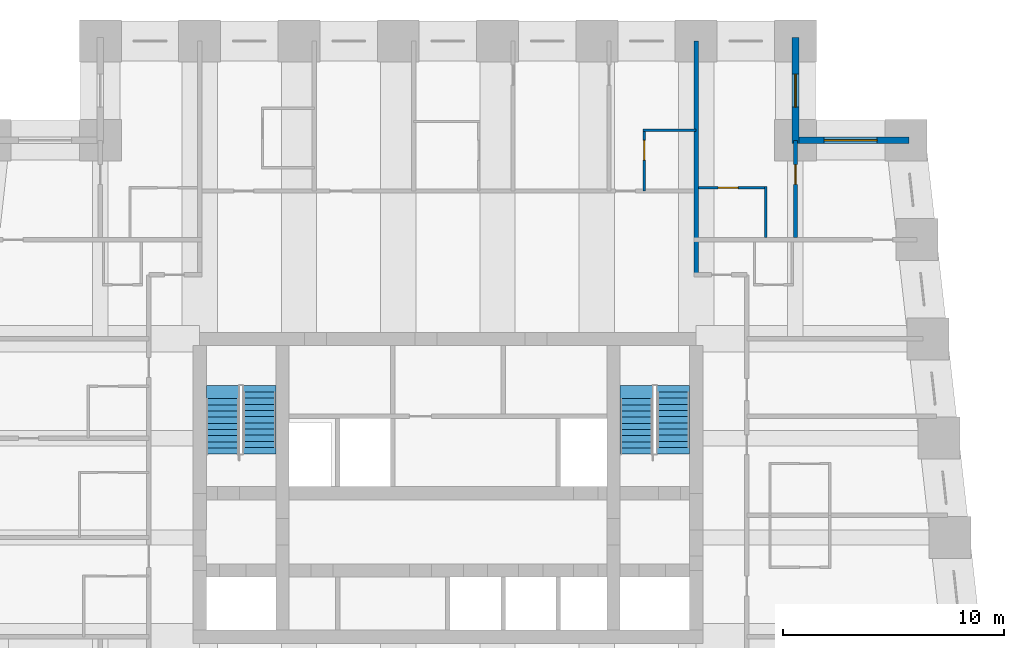
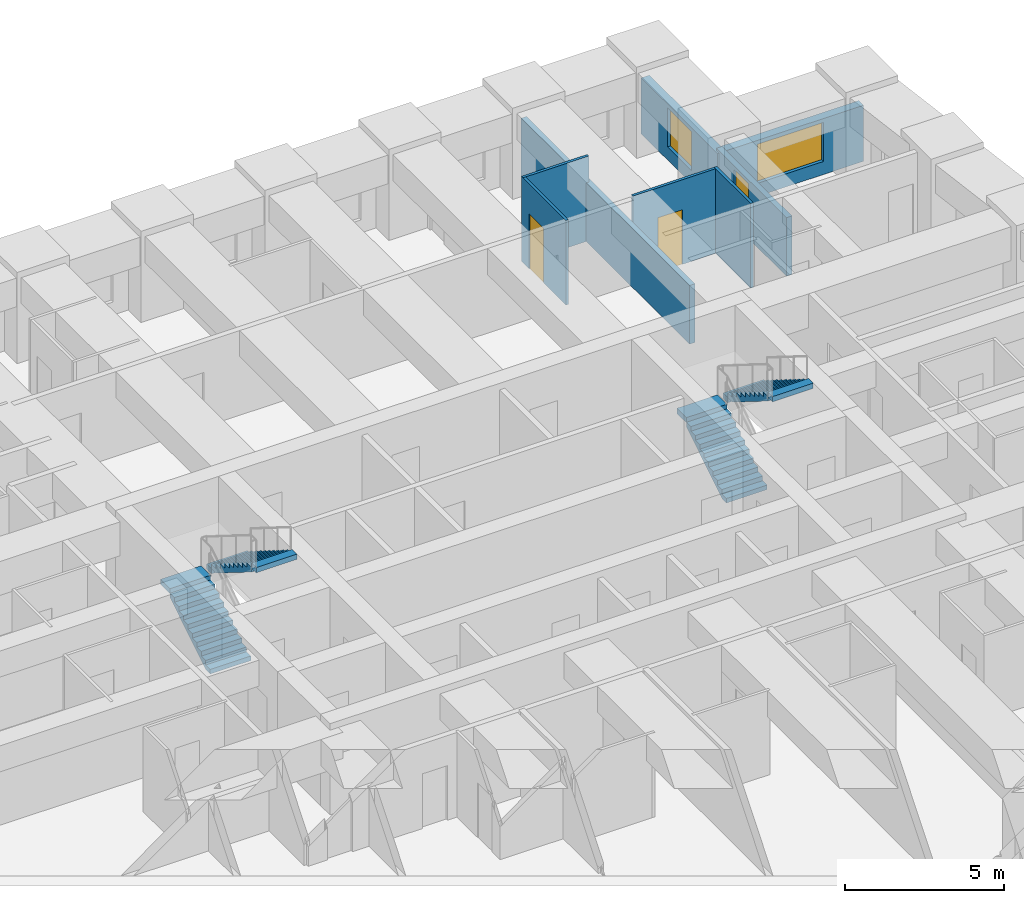
# One storey, part 7 of 8: 8 walls, 4 stair flights, 3 doors, 2 windows, 5 openings, 2 elements without a shape of their own.
"""IFC4 building model written with IfcOpenShell, lengths in metres."""

import ifcopenshell
import ifcopenshell.guid

model = None  # the IFC model being written
_history = None  # IfcOwnerHistory: only IFC2X3 demands one
_inside = {}  # id of a spatial element -> (the spatial element, [elements in it])
_under = {}  # id of a project, library or spatial element -> (it, [spatial elements below it])
_declared = {}  # id of a project -> (the project, [libraries it declares])
_typed = {}  # id of a type object -> (the type object, [elements of that type])
_made_of = {}  # id of a material, layer set ... -> (it, [elements and type objects made of it])


def new_model(schema):
    """Start an empty IFC model of exactly this schema.

    Asked for "IFC4X3", IfcOpenShell would pick the latest addendum, in which some entities
    have other attributes; the version numbers below select the first issue.
    IFC2X3 requires an IfcOwnerHistory on every rooted entity: one is made here for all.
    """
    global model, _history
    if schema == "IFC4X3":
        model = ifcopenshell.file(schema_version=(4, 3, 0, 0))
    else:
        model = ifcopenshell.file(schema=schema)
    _inside.clear()
    _under.clear()
    _declared.clear()
    _typed.clear()
    _made_of.clear()
    _history = None
    if model.schema == "IFC2X3":
        org = make("IfcOrganization", Name="unknown")
        user = make(
            "IfcPersonAndOrganization",
            ThePerson=make("IfcPerson", FamilyName="unknown"),
            TheOrganization=org,
        )
        app = make(
            "IfcApplication",
            ApplicationDeveloper=org,
            Version="unknown",
            ApplicationFullName="unknown",
            ApplicationIdentifier="unknown",
        )
        _history = make(
            "IfcOwnerHistory",
            OwningUser=user,
            OwningApplication=app,
            ChangeAction="ADDED",
            CreationDate=0,
        )
    return model


def make(cls, **values):
    """One entity of the class cls with the attributes given. An attribute that is None is left unset."""
    return model.create_entity(
        cls, **{name: value for name, value in values.items() if value is not None}
    )


def rooted(cls, **values):
    """An entity with a GlobalId (a new one), such as an element, a storey or a relation."""
    return make(cls, GlobalId=ifcopenshell.guid.new(), OwnerHistory=_history, **values)


def si_unit(unit_type, name, prefix=None):
    """IfcSIUnit, for example si_unit("LENGTHUNIT", "METRE", prefix="MILLI")."""
    return make("IfcSIUnit", UnitType=unit_type, Prefix=prefix, Name=name)


def assignment(units):
    """IfcUnitAssignment: the units of a project."""
    return None if units is None else make("IfcUnitAssignment", Units=units)


def point(xyz):
    """IfcCartesianPoint."""
    return None if xyz is None else make("IfcCartesianPoint", Coordinates=xyz)


def direction(xyz):
    """IfcDirection."""
    return None if xyz is None else make("IfcDirection", DirectionRatios=xyz)


def frame(location, z_axis=None, x_axis=None):
    """IfcAxis2Placement3D, a coordinate frame: its origin and axes. An axis left out is left unset."""
    return make(
        "IfcAxis2Placement3D",
        Location=point(location),
        Axis=direction(z_axis),
        RefDirection=direction(x_axis),
    )


def frame_2d(location, x_axis=None):
    """IfcAxis2Placement2D, a coordinate frame in the plane: its origin and x axis."""
    return make(
        "IfcAxis2Placement2D", Location=point(location), RefDirection=direction(x_axis)
    )


def origin():
    """The frame at (0, 0, 0) with its axes left unset."""
    return frame((0.0, 0.0, 0.0))


def place(relative_to, where):
    """IfcLocalPlacement: puts the frame where relative to a parent placement (None: the world)."""
    return make(
        "IfcLocalPlacement", PlacementRelTo=relative_to, RelativePlacement=where
    )


def context(
    kind, dimensions, precision=None, world=None, true_north=None, identifier=None
):
    """IfcGeometricRepresentationContext, for example the 3D "Model" context."""
    return make(
        "IfcGeometricRepresentationContext",
        ContextIdentifier=identifier,
        ContextType=kind,
        CoordinateSpaceDimension=dimensions,
        Precision=precision,
        WorldCoordinateSystem=world,
        TrueNorth=true_north,
    )


def subcontext(parent, identifier, kind, view, scale=None):
    """IfcGeometricRepresentationSubContext, for example "Body" below "Model"."""
    return make(
        "IfcGeometricRepresentationSubContext",
        ContextIdentifier=identifier,
        ContextType=kind,
        ParentContext=parent,
        TargetScale=scale,
        TargetView=view,
    )


def project(units=None, contexts=None):
    """IfcProject with its units and contexts."""
    return rooted(
        "IfcProject",
        Name="project",
        RepresentationContexts=contexts,
        UnitsInContext=assignment(units),
    )


def spatial(cls, under=None, at=None, **own):
    """A site, building, storey or space (cls), placed at a placement, below another one or the project."""
    s = rooted(cls, ObjectPlacement=at, **own)
    if under is not None:
        _under.setdefault(under.id(), (under, []))[1].append(s)
    return s


def polyline(points):
    """IfcPolyline through the points."""
    return make("IfcPolyline", Points=[point(p) for p in points])


def profile(cls, at=None, kind="AREA", **sizes):
    """A parametric profile (cls). Its sizes go by their IFC names, for example OverallWidth=200.0."""
    return make(cls, ProfileType=kind, Position=at, **sizes)


def rectangle(**sizes):
    """IfcRectangleProfileDef."""
    return profile("IfcRectangleProfileDef", **sizes)


def outline(outer, holes=None, kind="AREA"):
    """IfcArbitraryClosedProfileDef: a profile drawn as a closed curve; with holes, ...WithVoids."""
    if holes is None:
        return make("IfcArbitraryClosedProfileDef", ProfileType=kind, OuterCurve=outer)
    return make(
        "IfcArbitraryProfileDefWithVoids",
        ProfileType=kind,
        OuterCurve=outer,
        InnerCurves=holes,
    )


def extrude(swept, where, along, depth):
    """IfcExtrudedAreaSolid: the profile swept, set in the frame where, extruded along a direction by depth."""
    return make(
        "IfcExtrudedAreaSolid",
        SweptArea=swept,
        Position=where,
        ExtrudedDirection=direction(along),
        Depth=depth,
    )


def shape(context_of_items, identifier, shape_type, items):
    """IfcShapeRepresentation: the items that make up one representation, for example the "Body"."""
    return make(
        "IfcShapeRepresentation",
        ContextOfItems=context_of_items,
        RepresentationIdentifier=identifier,
        RepresentationType=shape_type,
        Items=items,
    )


def material(Name=None, Category=None):
    """IfcMaterial."""
    return make("IfcMaterial", Name=Name, Category=Category)


def layer(
    of_material, thickness, ventilated=None, Name=None, Category=None, Priority=None
):
    """IfcMaterialLayer: one layer of a wall or slab, of a material (None: an air gap)."""
    return make(
        "IfcMaterialLayer",
        Material=of_material,
        LayerThickness=thickness,
        IsVentilated=ventilated,
        Name=Name,
        Category=Category,
        Priority=Priority,
    )


def layer_set(layers, Name=None):
    """IfcMaterialLayerSet."""
    return make("IfcMaterialLayerSet", MaterialLayers=layers, LayerSetName=Name)


def made_of(thing, what):
    """Note that an element or type object is made of a material, layer set ...; save() writes the relation."""
    if what is not None:
        _made_of.setdefault(what.id(), (what, []))[1].append(thing)
    return thing


def type_object(cls, material=None, **own):
    """A type object (cls), such as IfcWallType, which elements share."""
    return made_of(rooted(cls, **own), material)


def element(
    cls,
    number,
    at=None,
    inside=None,
    cuts=None,
    type_object=None,
    material=None,
    context=None,
    identifier="Body",
    shape_type=None,
    held_by="IfcProductDefinitionShape",
    body=None,
    shapes=None,
    **own,
):
    """One element of the class cls, such as IfcWall. Its Tag is "e" and its number.

    at: its placement. inside: the storey or other place that contains it. cuts: it is an
    opening in that element (IfcRelVoidsElement). A single representation is given by context,
    identifier, shape_type and body (its items); several are given by shapes. held_by: the class
    of the entity that holds the representations. save() writes the other relations.
    """
    e = rooted(cls, Tag="e%d" % number, ObjectPlacement=at, **own)
    if body is not None:
        shapes = [shape(context, identifier, shape_type, body)]
    if shapes is not None:
        e.Representation = make(held_by, Representations=shapes)
    if inside is not None:
        _inside.setdefault(inside.id(), (inside, []))[1].append(e)
    if cuts is not None:
        rooted(
            "IfcRelVoidsElement", RelatingBuildingElement=cuts, RelatedOpeningElement=e
        )
    if type_object is not None:
        _typed.setdefault(type_object.id(), (type_object, []))[1].append(e)
    return made_of(e, material)


def fill(opening, filler):
    """IfcRelFillsElement: the door or window that sits in an opening."""
    return rooted(
        "IfcRelFillsElement",
        RelatingOpeningElement=opening,
        RelatedBuildingElement=filler,
    )


def aggregate(whole, parts):
    """IfcRelAggregates: a whole, such as a stair, and the parts it consists of."""
    return rooted("IfcRelAggregates", RelatingObject=whole, RelatedObjects=parts)


def save(model, path):
    """Write the relations noted so far, then the file.

    IfcRelAggregates (storeys below a building ...), IfcRelContainedInSpatialStructure (elements
    in a storey), IfcRelDefinesByType, IfcRelAssociatesMaterial and IfcRelDeclares: one each for
    every whole, place, type object, material and project.
    """
    for whole, parts in _under.values():
        aggregate(whole, parts)
    for where, things in _inside.values():
        rooted(
            "IfcRelContainedInSpatialStructure",
            RelatedElements=things,
            RelatingStructure=where,
        )
    for kind, things in _typed.values():
        rooted("IfcRelDefinesByType", RelatedObjects=things, RelatingType=kind)
    for what, things in _made_of.values():
        rooted("IfcRelAssociatesMaterial", RelatedObjects=things, RelatingMaterial=what)
    for by, libraries in _declared.values():
        rooted("IfcRelDeclares", RelatingContext=by, RelatedDefinitions=libraries)
    model.write(path)


model = new_model("IFC4")

# Units and contexts
model_context = context("Model", 3, precision=1e-05, world=origin(), true_north=direction((0.0, 1.0)))
body_context = subcontext(model_context, "Body", "Model", "MODEL_VIEW")
ifc_project = project(units=[si_unit("LENGTHUNIT", "METRE"), si_unit("AREAUNIT", "SQUARE_METRE"), si_unit("VOLUMEUNIT", "CUBIC_METRE"), si_unit("PLANEANGLEUNIT", "RADIAN"), si_unit("MASSUNIT", "GRAM", prefix="KILO")], contexts=[model_context])

# Site, building, storey
site_placement = place(None, origin())
site = spatial("IfcSite", under=ifc_project, at=site_placement, CompositionType="ELEMENT")
building_placement = place(site_placement, origin())
building = spatial("IfcBuilding", under=site, at=building_placement, Name="Kilele Tower Hotel", CompositionType="ELEMENT")
storey_placement = place(building_placement, frame((0.0, 0.0, 128.39990234375)))
storey = spatial("IfcBuildingStorey", under=building, at=storey_placement, Name="L33", CompositionType="ELEMENT", Elevation=128.39990234375)

# Wall
ifc_material_1 = material(Name="Moisture-resistant board")
ifc_layer_1 = layer(ifc_material_1, 0.10009765625)
ifc_layer_set_1 = layer_set([ifc_layer_1], Name="Moisture-resistant board")
wall_type_1 = type_object("IfcWallType", Name="Bathroom partition 100", PredefinedType="PLUMBINGWALL", material=ifc_layer_set_1)
wall_1_placement = place(storey_placement, frame((33.60009765625, 36.449951171875, 0.0), z_axis=(0.0, 0.0, 1.0), x_axis=(1.0, 0.0, 0.0)))
element("IfcWall", 1, at=wall_1_placement, inside=storey, type_object=wall_type_1, Name="Bathroom partition 100 L33", PredefinedType="PLUMBINGWALL", context=body_context, shape_type="SweptSolid", body=[
    extrude(rectangle(XDim=2.39990234375, YDim=0.10009765625, at=frame_2d((1.199951171875, 0.0))), origin(), (0.0, 0.0, 1.0), 3.25),
])

# Wall, opening, door
wall_2_placement = place(storey_placement, frame((33.64990234375, 33.699951171875, 0.0), z_axis=(0.0, 0.0, 1.0), x_axis=(0.0, 1.0, 0.0)))
wall_2 = element("IfcWall", 2, at=wall_2_placement, inside=storey, type_object=wall_type_1, Name="Bathroom partition 100 L33", PredefinedType="PLUMBINGWALL", context=body_context, shape_type="SweptSolid", body=[
    extrude(rectangle(XDim=2.800048828125, YDim=0.10009765625, at=frame_2d((1.39990234375, 0.0))), origin(), (0.0, 0.0, 1.0), 3.25),
])
opening_1_placement = place(wall_2_placement, frame((1.39990234375, 0.0, 0.0)))
opening_1 = element("IfcOpeningElement", 3, at=opening_1_placement, cuts=wall_2, Name="Opening D2A", PredefinedType="OPENING", context=body_context, shape_type="SweptSolid", body=[
    extrude(rectangle(XDim=0.89990234375, YDim=2.10009765625, at=frame_2d((0.449951171875, 1.050048828125))), frame((0.0, 0.06005859375, 0.0), z_axis=(0.0, -1.0, 0.0), x_axis=(1.0, 0.0, 0.0)), (0.0, 0.0, 1.0), 0.1201171875),
])
ifc_material_2 = material(Name="Timber door leaf in hardwood frame", Category="wood")
door_type_1 = type_object("IfcDoorType", Name="Bathroom door 900", OperationType="SINGLE_SWING_LEFT", PredefinedType="DOOR", material=ifc_material_2)
door_1_placement = place(opening_1_placement, origin())
door_1 = element("IfcDoor", 4, at=door_1_placement, inside=storey, type_object=door_type_1, Name="Bathroom door 3313B", OperationType="SINGLE_SWING_LEFT", OverallHeight=2.10009765625, OverallWidth=0.89990234375, PredefinedType="DOOR", context=body_context, shape_type="SweptSolid", body=[
    extrude(rectangle(XDim=0.89990234375, YDim=2.10009765625, at=frame_2d((0.449951171875, 1.050048828125))), frame((0.0, 0.02490234375, 0.0), z_axis=(0.0, -1.0, 0.0), x_axis=(1.0, 0.0, 0.0)), (0.0, 0.0, 1.0), 0.050048828125),
])
fill(opening_1, door_1)

# Wall
wall_3_placement = place(storey_placement, frame((39.14990234375, 31.60009765625, 0.0), z_axis=(0.0, 0.0, 1.0), x_axis=(0.0, 1.0, 0.0)))
element("IfcWall", 5, at=wall_3_placement, inside=storey, type_object=wall_type_1, Name="Bathroom partition 100 L33", PredefinedType="PLUMBINGWALL", context=body_context, shape_type="SweptSolid", body=[
    extrude(rectangle(XDim=2.2998046875, YDim=0.10009765625, at=frame_2d((1.14990234375, 0.0))), origin(), (0.0, 0.0, 1.0), 3.25),
])

# Wall, opening, door
wall_4_placement = place(storey_placement, frame((36.10009765625, 33.85009765625, 0.0), z_axis=(0.0, 0.0, 1.0), x_axis=(1.0, 0.0, 0.0)))
wall_4 = element("IfcWall", 6, at=wall_4_placement, inside=storey, type_object=wall_type_1, Name="Bathroom partition 100 L33", PredefinedType="PLUMBINGWALL", context=body_context, shape_type="SweptSolid", body=[
    extrude(rectangle(XDim=3.099853515625, YDim=0.10009765625, at=frame_2d((1.5498046875, 0.0))), origin(), (0.0, 0.0, 1.0), 3.25),
])
opening_2_placement = place(wall_4_placement, frame((0.89990234375, 0.0, 0.0)))
opening_2 = element("IfcOpeningElement", 7, at=opening_2_placement, cuts=wall_4, Name="Opening D2A", PredefinedType="OPENING", context=body_context, shape_type="SweptSolid", body=[
    extrude(rectangle(XDim=0.89990234375, YDim=2.10009765625, at=frame_2d((0.449951171875, 1.050048828125))), frame((0.0, 0.06005859375, 0.0), z_axis=(0.0, -1.0, 0.0), x_axis=(1.0, 0.0, 0.0)), (0.0, 0.0, 1.0), 0.1201171875),
])
door_2_placement = place(opening_2_placement, origin())
door_2 = element("IfcDoor", 8, at=door_2_placement, inside=storey, type_object=door_type_1, Name="Bathroom door 3324B", OperationType="SINGLE_SWING_LEFT", OverallHeight=2.10009765625, OverallWidth=0.89990234375, PredefinedType="DOOR", context=body_context, shape_type="SweptSolid", body=[
    extrude(rectangle(XDim=0.89990234375, YDim=2.10009765625, at=frame_2d((0.449951171875, 1.050048828125))), frame((0.0, 0.02490234375, 0.0), z_axis=(0.0, -1.0, 0.0), x_axis=(1.0, 0.0, 0.0)), (0.0, 0.0, 1.0), 0.050048828125),
])
fill(opening_2, door_2)

ifc_material_3 = material(Name="Blockwork, plastered both sides", Category="masonry")
ifc_layer_2 = layer(ifc_material_3, 0.199951171875)
ifc_layer_set_2 = layer_set([ifc_layer_2], Name="Blockwork, plastered both sides")
wall_type_2 = type_object("IfcWallType", Name="Partition wall 200", PredefinedType="PARTITIONING", material=ifc_layer_set_2)
wall_5_placement = place(storey_placement, frame((40.5, 31.60009765625, 0.0), z_axis=(0.0, 0.0, 1.0), x_axis=(0.0, 1.0, 0.0)))
wall_5 = element("IfcWall", 9, at=wall_5_placement, inside=storey, type_object=wall_type_2, Name="Partition wall 200 L33", PredefinedType="PARTITIONING", context=body_context, shape_type="SweptSolid", body=[
    extrude(rectangle(XDim=4.39990234375, YDim=0.199951171875, at=frame_2d((2.199951171875, 0.0))), origin(), (0.0, 0.0, 1.0), 2.25),
])
opening_3_placement = place(wall_5_placement, frame((2.39990234375, 0.0, 0.0)))
opening_3 = element("IfcOpeningElement", 10, at=opening_3_placement, cuts=wall_5, Name="Opening D3", PredefinedType="OPENING", context=body_context, shape_type="SweptSolid", body=[
    extrude(rectangle(XDim=0.89990234375, YDim=2.10009765625, at=frame_2d((0.449951171875, 1.050048828125))), frame((0.0, 0.10986328125, 0.0), z_axis=(0.0, -1.0, 0.0), x_axis=(1.0, 0.0, 0.0)), (0.0, 0.0, 1.0), 0.219970703125),
])
ifc_material_4 = material(Name="Timber door leaf in hardwood frame", Category="wood")
door_type_2 = type_object("IfcDoorType", Name="Suite internal door 900", OperationType="SINGLE_SWING_LEFT", PredefinedType="DOOR", material=ifc_material_4)
door_3_placement = place(opening_3_placement, origin())
door_3 = element("IfcDoor", 11, at=door_3_placement, inside=storey, type_object=door_type_2, Name="Suite door 3325", OperationType="SINGLE_SWING_RIGHT", OverallHeight=2.10009765625, OverallWidth=0.89990234375, PredefinedType="DOOR", context=body_context, shape_type="SweptSolid", body=[
    extrude(rectangle(XDim=0.89990234375, YDim=2.10009765625, at=frame_2d((0.449951171875, 1.050048828125))), frame((0.0, 0.02490234375, 0.0), z_axis=(0.0, -1.0, 0.0), x_axis=(1.0, 0.0, 0.0)), (0.0, 0.0, 1.0), 0.050048828125),
])
fill(opening_3, door_3)

# Wall
ifc_material_5 = material(Name="Blockwork, plastered both sides", Category="masonry")
ifc_layer_3 = layer(ifc_material_5, 0.199951171875)
ifc_layer_set_3 = layer_set([ifc_layer_3], Name="Blockwork, plastered both sides")
wall_type_3 = type_object("IfcWallType", Name="Party wall 200", PredefinedType="PARTITIONING", material=ifc_layer_set_3)
wall_6_placement = place(storey_placement, frame((36.0, 29.89990234375, 0.0), z_axis=(0.0, 0.0, 1.0), x_axis=(0.0, 1.0, 0.0)))
element("IfcWall", 12, at=wall_6_placement, inside=storey, type_object=wall_type_3, Name="Party wall 200 L33", PredefinedType="PARTITIONING", context=body_context, shape_type="SweptSolid", body=[
    extrude(rectangle(XDim=10.60009765625, YDim=0.199951171875, at=frame_2d((5.300048828125, 0.0))), origin(), (0.0, 0.0, 1.0), 2.25),
])

# Wall, opening, window
ifc_material_6 = material(Name="Concrete C40/50 precast", Category="concrete")
ifc_layer_4 = layer(ifc_material_6, 0.260009765625, Name="Precast backing", Category="LoadBearing")
ifc_material_7 = material(Name="Reconstituted stone finish", Category="masonry")
ifc_layer_5 = layer(ifc_material_7, 0.0400390625, Name="Face mix", Category="Finish")
ifc_layer_set_4 = layer_set([ifc_layer_4, ifc_layer_5], Name="Precast concrete C40/50, reconstituted stone finish")
wall_type_4 = type_object("IfcWallType", Name="Precast stone facade wall 300", PredefinedType="STANDARD", material=ifc_layer_set_4)
wall_7_placement = place(storey_placement, frame((45.64990234375, 36.0, 0.0), z_axis=(0.0, 0.0, 1.0), x_axis=(-1.0, 0.0, 0.0)))
wall_7 = element("IfcWall", 13, at=wall_7_placement, inside=storey, type_object=wall_type_4, Name="Facade wall L33 edge 7", PredefinedType="STANDARD", context=body_context, shape_type="SweptSolid", body=[
    extrude(rectangle(XDim=5.2998046875, YDim=0.300048828125, at=frame_2d((2.64990234375, 0.0))), origin(), (0.0, 0.0, 1.0), 2.150146484375),
])
opening_4_placement = place(wall_7_placement, frame((1.449951171875, 0.0, 0.5)))
opening_4 = element("IfcOpeningElement", 14, at=opening_4_placement, cuts=wall_7, Name="Opening W2", PredefinedType="OPENING", context=body_context, shape_type="SweptSolid", body=[
    extrude(rectangle(XDim=2.39990234375, YDim=1.5, at=frame_2d((1.199951171875, 0.75))), frame((0.0, 0.159912109375, 0.0), z_axis=(0.0, -1.0, 0.0), x_axis=(1.0, 0.0, 0.0)), (0.0, 0.0, 1.0), 0.320068359375),
])
ifc_material_8 = material(Name="Aluminium frame, clear double glazing", Category="aluminium")
window_type_1 = type_object("IfcWindowType", Name="Window W2 2400 x 1500", PartitioningType="SINGLE_PANEL", PredefinedType="WINDOW", material=ifc_material_8)
window_1_placement = place(opening_4_placement, origin())
window_1 = element("IfcWindow", 15, at=window_1_placement, inside=storey, type_object=window_type_1, Name="Window L33", OverallHeight=1.5, OverallWidth=2.39990234375, PartitioningType="SINGLE_PANEL", PredefinedType="WINDOW", context=body_context, shape_type="SweptSolid", body=[
    extrude(rectangle(XDim=2.39990234375, YDim=1.5, at=frame_2d((1.199951171875, 0.75))), frame((0.0, 0.030029296875, 0.0), z_axis=(0.0, -1.0, 0.0), x_axis=(1.0, 0.0, 0.0)), (0.0, 0.0, 1.0), 0.06005859375),
])
fill(opening_4, window_1)

wall_8_placement = place(storey_placement, frame((40.5, 35.85009765625, 0.0), z_axis=(0.0, 0.0, 1.0), x_axis=(0.0, 1.0, 0.0)))
wall_8 = element("IfcWall", 16, at=wall_8_placement, inside=storey, type_object=wall_type_4, Name="Facade wall L33 edge 8", PredefinedType="STANDARD", context=body_context, shape_type="SweptSolid", body=[
    extrude(rectangle(XDim=4.7998046875, YDim=0.300048828125, at=frame_2d((2.39990234375, 0.0))), origin(), (0.0, 0.0, 1.0), 2.150146484375),
])
opening_5_placement = place(wall_8_placement, frame((1.64990234375, 0.0, 0.5)))
opening_5 = element("IfcOpeningElement", 17, at=opening_5_placement, cuts=wall_8, Name="Opening W2", PredefinedType="OPENING", context=body_context, shape_type="SweptSolid", body=[
    extrude(rectangle(XDim=1.5, YDim=1.5, at=frame_2d((0.75, 0.75))), frame((0.0, 0.159912109375, 0.0), z_axis=(0.0, -1.0, 0.0), x_axis=(1.0, 0.0, 0.0)), (0.0, 0.0, 1.0), 0.320068359375),
])
ifc_material_9 = material(Name="Aluminium frame, clear double glazing", Category="aluminium")
window_type_2 = type_object("IfcWindowType", Name="Window W2 1500 x 1500", PartitioningType="SINGLE_PANEL", PredefinedType="WINDOW", material=ifc_material_9)
window_2_placement = place(opening_5_placement, origin())
window_2 = element("IfcWindow", 18, at=window_2_placement, inside=storey, type_object=window_type_2, Name="Window L33", OverallHeight=1.5, OverallWidth=1.5, PartitioningType="SINGLE_PANEL", PredefinedType="WINDOW", context=body_context, shape_type="SweptSolid", body=[
    extrude(rectangle(XDim=1.5, YDim=1.5, at=frame_2d((0.75, 0.75))), frame((0.0, 0.030029296875, 0.0), z_axis=(0.0, -1.0, 0.0), x_axis=(1.0, 0.0, 0.0)), (0.0, 0.0, 1.0), 0.06005859375),
])
fill(opening_5, window_2)

# Stair, stair flights
ifc_material_10 = material(Name="Precast concrete C40/50", Category="concrete")
stair_type = type_object("IfcStairType", Name="Stair 1475 x 3500", PredefinedType="HALF_TURN_STAIR", material=ifc_material_10)
stair_1_placement = place(storey_placement, origin())
stair_1 = element("IfcStair", 19, at=stair_1_placement, inside=storey, type_object=stair_type, Name="Stair 1 L33", PredefinedType="HALF_TURN_STAIR")
ifc_material_11 = material(Name="Precast concrete C40/50", Category="concrete")
stair_flight_type = type_object("IfcStairFlightType", Name="Flight 1475 riser 175.0", PredefinedType="STRAIGHT", material=ifc_material_11)
stair_flight_1_placement = place(storey_placement, frame((14.53759765625, 21.77490234375, 0.0), z_axis=(0.0, 0.0, 1.0), x_axis=(0.0, 1.0, 0.0)))
stair_flight_1 = element("IfcStairFlight", 20, at=stair_flight_1_placement, type_object=stair_flight_type, Name="ST1 flight 1", NumberOfRisers=10, NumberOfTreads=9, PredefinedType="STRAIGHT", RiserHeight=0.175, TreadLength=0.28, context=body_context, shape_type="SweptSolid", body=[
    extrude(outline(polyline([(0.0, 0.0), (0.0, 0.175048828125), (0.280029296875, 0.175048828125), (0.280029296875, 0.35009765625), (0.56005859375, 0.35009765625), (0.56005859375, 0.52490234375), (0.840087890625, 0.52490234375), (0.840087890625, 0.699951171875), (1.1201171875, 0.699951171875), (1.1201171875, 0.875), (1.39990234375, 0.875), (1.39990234375, 1.050048828125), (1.679931640625, 1.050048828125), (1.679931640625, 1.22509765625), (1.9599609375, 1.22509765625), (1.9599609375, 1.39990234375), (2.239990234375, 1.39990234375), (2.239990234375, 1.574951171875), (2.52001953125, 1.574951171875), (2.52001953125, 1.75), (2.52001953125, 1.398193359375), (0.28271484375, 0.0), (0.0, 0.0)])), frame((0.0, 0.737548828125, 0.0), z_axis=(0.0, -1.0, 0.0), x_axis=(1.0, 0.0, 0.0)), (0.0, 0.0, 1.0), 1.47509765625),
    extrude(outline(polyline([(2.52001953125, 0.737548828125), (2.52001953125, -0.7373046875), (3.1201171875, -0.7373046875), (3.1201171875, 0.737548828125), (2.52001953125, 0.737548828125)])), frame((0.0, 0.0, 1.550048828125)), (0.0, 0.0, 1.0), 0.199951171875),
])
stair_flight_2_placement = place(storey_placement, frame((16.21240234375, 24.594970703125, 1.75), z_axis=(0.0, 0.0, 1.0), x_axis=(0.0, -1.0, 0.0)))
stair_flight_2 = element("IfcStairFlight", 21, at=stair_flight_2_placement, type_object=stair_flight_type, Name="ST1 flight 2", NumberOfRisers=10, NumberOfTreads=9, PredefinedType="STRAIGHT", RiserHeight=0.175, TreadLength=0.28, context=body_context, shape_type="SweptSolid", body=[
    extrude(outline(polyline([(0.0, 0.0), (0.0, 0.175048828125), (0.280029296875, 0.175048828125), (0.280029296875, 0.35009765625), (0.56005859375, 0.35009765625), (0.56005859375, 0.52490234375), (0.840087890625, 0.52490234375), (0.840087890625, 0.699951171875), (1.1201171875, 0.699951171875), (1.1201171875, 0.875), (1.39990234375, 0.875), (1.39990234375, 1.050048828125), (1.679931640625, 1.050048828125), (1.679931640625, 1.22509765625), (1.9599609375, 1.22509765625), (1.9599609375, 1.39990234375), (2.239990234375, 1.39990234375), (2.239990234375, 1.574951171875), (2.52001953125, 1.574951171875), (2.52001953125, 1.75), (2.52001953125, 1.398193359375), (0.28271484375, 0.0), (0.0, 0.0)])), frame((0.0, 0.737548828125, 0.0), z_axis=(0.0, -1.0, 0.0), x_axis=(1.0, 0.0, 0.0)), (0.0, 0.0, 1.0), 1.47509765625),
    extrude(outline(polyline([(0.0, -0.7373046875), (0.0, 0.737548828125), (-0.300048828125, 0.737548828125), (-0.300048828125, -0.7373046875), (0.0, -0.7373046875)])), frame((0.0, 0.0, -0.199951171875)), (0.0, 0.0, 1.0), 0.199951171875),
    extrude(outline(polyline([(2.820068359375, -0.7373046875), (2.820068359375, 0.737548828125), (2.52001953125, 0.737548828125), (2.52001953125, -0.7373046875), (2.820068359375, -0.7373046875)])), frame((0.0, 0.0, 1.550048828125)), (0.0, 0.0, 1.0), 0.199951171875),
])
aggregate(stair_1, [stair_flight_1, stair_flight_2])

stair_2_placement = place(storey_placement, origin())
stair_2 = element("IfcStair", 22, at=stair_2_placement, inside=storey, type_object=stair_type, Name="Stair 2 L33", PredefinedType="HALF_TURN_STAIR")
stair_flight_3_placement = place(storey_placement, frame((33.28759765625, 21.77490234375, 0.0), z_axis=(0.0, 0.0, 1.0), x_axis=(0.0, 1.0, 0.0)))
stair_flight_3 = element("IfcStairFlight", 23, at=stair_flight_3_placement, type_object=stair_flight_type, Name="ST2 flight 1", NumberOfRisers=10, NumberOfTreads=9, PredefinedType="STRAIGHT", RiserHeight=0.175, TreadLength=0.28, context=body_context, shape_type="SweptSolid", body=[
    extrude(outline(polyline([(0.0, 0.0), (0.0, 0.175048828125), (0.280029296875, 0.175048828125), (0.280029296875, 0.35009765625), (0.56005859375, 0.35009765625), (0.56005859375, 0.52490234375), (0.840087890625, 0.52490234375), (0.840087890625, 0.699951171875), (1.1201171875, 0.699951171875), (1.1201171875, 0.875), (1.39990234375, 0.875), (1.39990234375, 1.050048828125), (1.679931640625, 1.050048828125), (1.679931640625, 1.22509765625), (1.9599609375, 1.22509765625), (1.9599609375, 1.39990234375), (2.239990234375, 1.39990234375), (2.239990234375, 1.574951171875), (2.52001953125, 1.574951171875), (2.52001953125, 1.75), (2.52001953125, 1.398193359375), (0.28271484375, 0.0), (0.0, 0.0)])), frame((0.0, 0.737548828125, 0.0), z_axis=(0.0, -1.0, 0.0), x_axis=(1.0, 0.0, 0.0)), (0.0, 0.0, 1.0), 1.47509765625),
    extrude(outline(polyline([(2.52001953125, 0.737548828125), (2.52001953125, -0.7373046875), (3.1201171875, -0.7373046875), (3.1201171875, 0.737548828125), (2.52001953125, 0.737548828125)])), frame((0.0, 0.0, 1.550048828125)), (0.0, 0.0, 1.0), 0.199951171875),
])
stair_flight_4_placement = place(storey_placement, frame((34.96240234375, 24.594970703125, 1.75), z_axis=(0.0, 0.0, 1.0), x_axis=(0.0, -1.0, 0.0)))
stair_flight_4 = element("IfcStairFlight", 24, at=stair_flight_4_placement, type_object=stair_flight_type, Name="ST2 flight 2", NumberOfRisers=10, NumberOfTreads=9, PredefinedType="STRAIGHT", RiserHeight=0.175, TreadLength=0.28, context=body_context, shape_type="SweptSolid", body=[
    extrude(outline(polyline([(0.0, 0.0), (0.0, 0.175048828125), (0.280029296875, 0.175048828125), (0.280029296875, 0.35009765625), (0.56005859375, 0.35009765625), (0.56005859375, 0.52490234375), (0.840087890625, 0.52490234375), (0.840087890625, 0.699951171875), (1.1201171875, 0.699951171875), (1.1201171875, 0.875), (1.39990234375, 0.875), (1.39990234375, 1.050048828125), (1.679931640625, 1.050048828125), (1.679931640625, 1.22509765625), (1.9599609375, 1.22509765625), (1.9599609375, 1.39990234375), (2.239990234375, 1.39990234375), (2.239990234375, 1.574951171875), (2.52001953125, 1.574951171875), (2.52001953125, 1.75), (2.52001953125, 1.398193359375), (0.28271484375, 0.0), (0.0, 0.0)])), frame((0.0, 0.737548828125, 0.0), z_axis=(0.0, -1.0, 0.0), x_axis=(1.0, 0.0, 0.0)), (0.0, 0.0, 1.0), 1.47509765625),
    extrude(outline(polyline([(0.0, -0.7373046875), (0.0, 0.737548828125), (-0.300048828125, 0.737548828125), (-0.300048828125, -0.7373046875), (0.0, -0.7373046875)])), frame((0.0, 0.0, -0.199951171875)), (0.0, 0.0, 1.0), 0.199951171875),
    extrude(outline(polyline([(2.820068359375, -0.7373046875), (2.820068359375, 0.737548828125), (2.52001953125, 0.737548828125), (2.52001953125, -0.7373046875), (2.820068359375, -0.7373046875)])), frame((0.0, 0.0, 1.550048828125)), (0.0, 0.0, 1.0), 0.199951171875),
])
aggregate(stair_2, [stair_flight_3, stair_flight_4])

save(model, "model.ifc")
